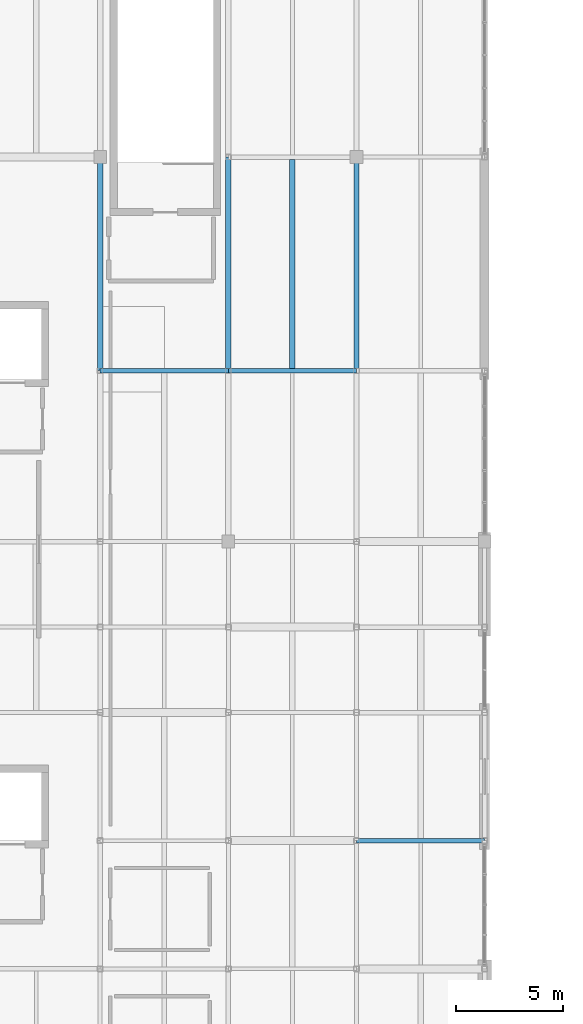
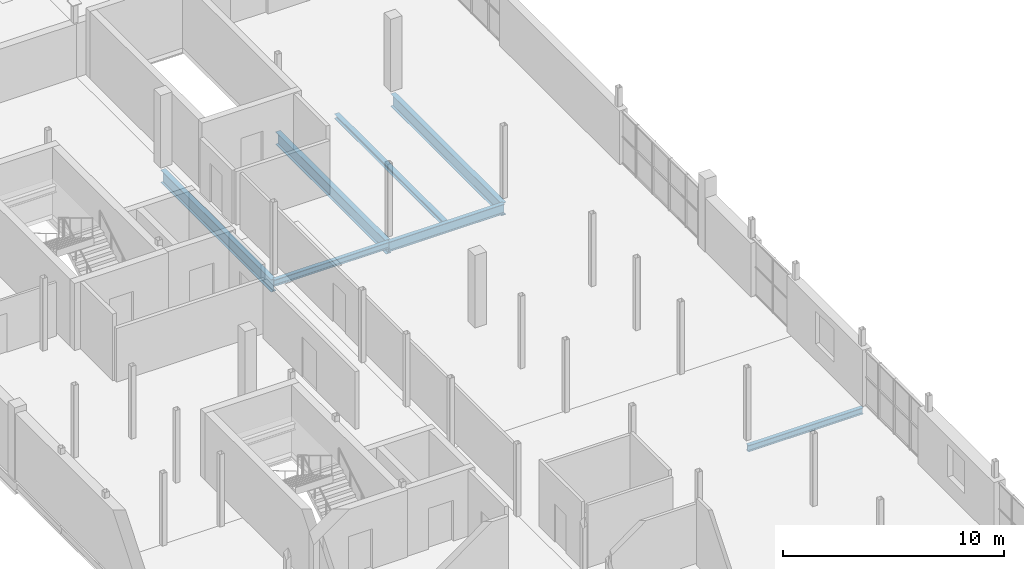
# One storey, part 17 of 35: 7 beams.
"""IFC4 building model written with IfcOpenShell, lengths in metres."""

from ifc_helpers import new_model, si_unit, direction, frame, origin, origin_2d, place, context, subcontext, project, spatial, i_section, extrude, material, material_profile, profile_set, type_object, element, save


model = new_model("IFC4")

# Units and contexts
model_context = context("Model", 3, precision=1e-05, world=origin(), true_north=direction((0.0, 1.0)))
body_context = subcontext(model_context, "Body", "Model", "MODEL_VIEW")
ifc_project = project(units=[si_unit("LENGTHUNIT", "METRE"), si_unit("AREAUNIT", "SQUARE_METRE"), si_unit("VOLUMEUNIT", "CUBIC_METRE"), si_unit("PLANEANGLEUNIT", "RADIAN"), si_unit("MASSUNIT", "GRAM", prefix="KILO")], contexts=[model_context])

# Site, building, storey
site_placement = place(None, origin())
site = spatial("IfcSite", under=ifc_project, at=site_placement, CompositionType="ELEMENT")
building_placement = place(site_placement, origin())
building = spatial("IfcBuilding", under=site, at=building_placement, Name="Verrall Gate Interchange", CompositionType="ELEMENT")
storey_placement = place(building_placement, frame((0.0, 0.0, 15.39990234375)))
storey = spatial("IfcBuildingStorey", under=building, at=storey_placement, Name="L04", CompositionType="ELEMENT", Elevation=15.39990234375)

# Beams
ifc_material_1 = material(Name="Structural Steel CSA G40.21 350WT Cat 4", Category="steel")
ifc_material_profile_1 = material_profile(ifc_material_1, i_section(OverallWidth=0.256103515625, OverallDepth=0.693115234375, WebThickness=0.01318359375, FlangeThickness=0.02001953125, FilletRadius=0.01611328125, at=origin_2d()), Name="W690x170")
ifc_profile_set_1 = profile_set([ifc_material_profile_1], Name="Structural Steel CSA G40.21 350WT Cat 4")
beam_type_1 = type_object("IfcBeamType", Name="B-07 Structural Beam W690x170", PredefinedType="BEAM", material=ifc_profile_set_1)
for number, where, z_axis, x_axis, name in (
    (1, (18.0, 56.0, -0.676513671875), (0.0, 1.0, 0.0), (-1.0, 0.0, 0.0), "L04 Girder BM-L04-2681 (B-07)"),
    (2, (24.0, 56.0, -0.676513671875), (0.0, 1.0, 0.0), (-1.0, 0.0, 0.0), "L04 Girder BM-L04-2694 (B-07)"),
    (3, (30.0, 56.0, -0.676513671875), (0.0, 1.0, 0.0), (-1.0, 0.0, 0.0), "L04 Girder BM-L04-2707 (B-07)"),
):
    element("IfcBeam", number, at=place(storey_placement, frame(where, z_axis=z_axis, x_axis=x_axis)), inside=storey, type_object=beam_type_1, Name=name, PredefinedType="BEAM", context=body_context, shape_type="SweptSolid", body=[
        extrude(i_section(OverallWidth=0.256103515625, OverallDepth=0.693115234375, WebThickness=0.01318359375, FlangeThickness=0.02001953125, FilletRadius=0.01611328125, at=origin_2d()), origin(), (0.0, 0.0, 1.0), 10.0),
    ])
ifc_material_2 = material(Name="Structural Steel CSA G40.21 350W", Category="steel")
ifc_material_profile_2 = material_profile(ifc_material_2, i_section(OverallWidth=0.2109375, OverallDepth=0.5390625, WebThickness=0.01171875, FlangeThickness=0.018798828125, FilletRadius=0.013916015625, at=origin_2d()), Name="W530x109")
ifc_profile_set_2 = profile_set([ifc_material_profile_2], Name="Structural Steel CSA G40.21 350W")
beam_type_2 = type_object("IfcBeamType", Name="B-10 Structural Beam W530x109", PredefinedType="BEAM", material=ifc_profile_set_2)
beam_1_placement = place(storey_placement, frame((24.0, 56.0, -0.599365234375), z_axis=(1.0, 0.0, 0.0), x_axis=(0.0, 1.0, 0.0)))
element("IfcBeam", 4, at=beam_1_placement, inside=storey, type_object=beam_type_2, Name="L04 Girder BM-L04-2612 (B-10)", PredefinedType="BEAM", context=body_context, shape_type="SweptSolid", body=[
    extrude(i_section(OverallWidth=0.2109375, OverallDepth=0.5390625, WebThickness=0.01171875, FlangeThickness=0.018798828125, FilletRadius=0.013916015625, at=origin_2d()), origin(), (0.0, 0.0, 1.0), 6.0),
])
ifc_material_3 = material(Name="Structural Steel CSA G40.21 350W", Category="steel")
ifc_material_profile_3 = material_profile(ifc_material_3, i_section(OverallWidth=0.205078125, OverallDepth=0.35400390625, WebThickness=0.009521484375, FlangeThickness=0.016845703125, FilletRadius=0.012939453125, at=origin_2d()), Name="W360x79")
ifc_profile_set_3 = profile_set([ifc_material_profile_3], Name="Structural Steel CSA G40.21 350W")
beam_type_3 = type_object("IfcBeamType", Name="B-14 Structural Beam W360x79", PredefinedType="BEAM", material=ifc_profile_set_3)
for number, where, z_axis, x_axis, name in (
    (5, (30.0, 34.0, -0.5068359375), (1.0, 0.0, 0.0), (0.0, 1.0, 0.0), "L04 Girder BM-L04-2575 (B-14)"),
    (6, (18.0, 56.0, -0.5068359375), (1.0, 0.0, 0.0), (0.0, 1.0, 0.0), "L04 Girder BM-L04-2611 (B-14)"),
):
    element("IfcBeam", number, at=place(storey_placement, frame(where, z_axis=z_axis, x_axis=x_axis)), inside=storey, type_object=beam_type_3, Name=name, PredefinedType="BEAM", context=body_context, shape_type="SweptSolid", body=[
        extrude(i_section(OverallWidth=0.205078125, OverallDepth=0.35400390625, WebThickness=0.009521484375, FlangeThickness=0.016845703125, FilletRadius=0.012939453125, at=origin_2d()), origin(), (0.0, 0.0, 1.0), 6.0),
    ])
ifc_material_4 = material(Name="Structural Steel CSA G40.21 350W", Category="steel")
ifc_material_profile_4 = material_profile(ifc_material_4, i_section(OverallWidth=0.25390625, OverallDepth=0.2529296875, WebThickness=0.008544921875, FlangeThickness=0.01416015625, FilletRadius=0.011962890625, at=origin_2d()), Name="W250x73")
ifc_profile_set_4 = profile_set([ifc_material_profile_4], Name="Structural Steel CSA G40.21 350W")
beam_type_4 = type_object("IfcBeamType", Name="J-05 Floor Joist W250x73", PredefinedType="JOIST", material=ifc_profile_set_4)
beam_2_placement = place(storey_placement, frame((27.0, 56.10546875, -0.456298828125), z_axis=(0.0, 1.0, 0.0), x_axis=(-1.0, 0.0, 0.0)))
element("IfcBeam", 7, at=beam_2_placement, inside=storey, type_object=beam_type_4, Name="L04 Secondary Floor Joist JST-L04-2833", PredefinedType="JOIST", context=body_context, shape_type="SweptSolid", body=[
    extrude(i_section(OverallWidth=0.25390625, OverallDepth=0.2529296875, WebThickness=0.008544921875, FlangeThickness=0.01416015625, FilletRadius=0.011962890625, at=origin_2d()), origin(), (0.0, 0.0, 1.0), 9.7890625),
])

save(model, "model.ifc")
